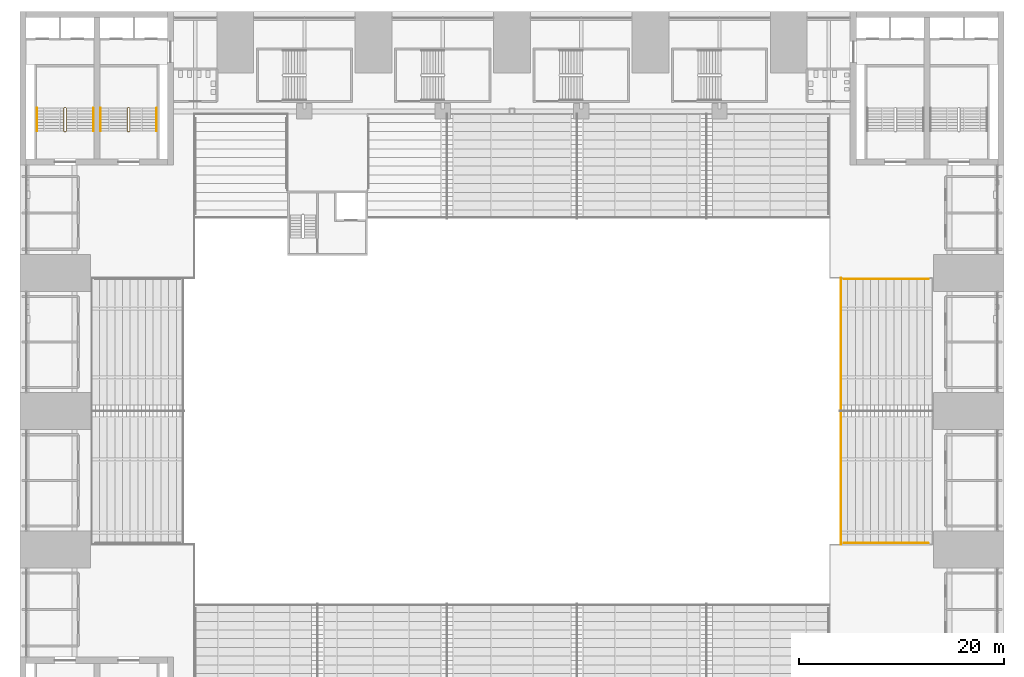
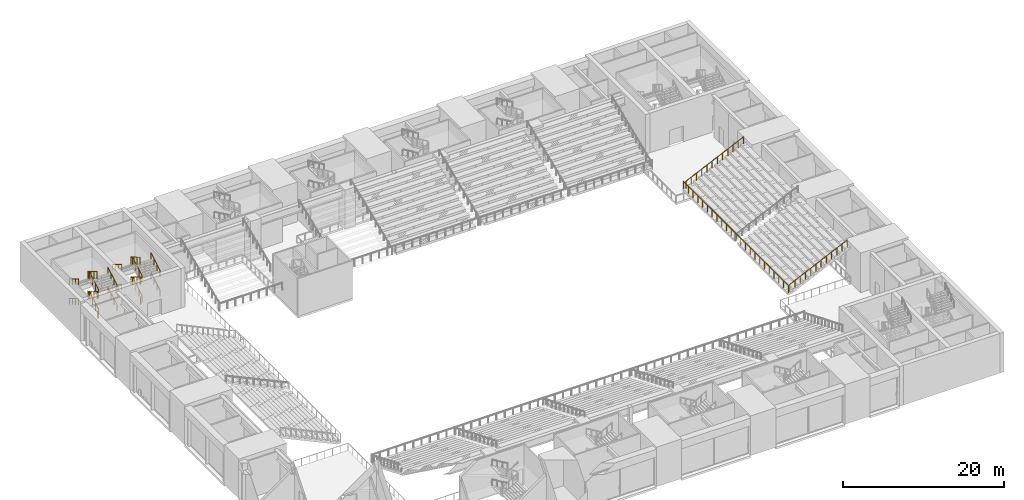
# One storey, part 58 of 61: 5 railings.
"""IFC4 building model written with IfcOpenShell, lengths in metres."""

from ifc_helpers import new_model, si_unit, direction, frame, origin, origin_2d, place, context, subcontext, project, spatial, circle, extrude, material, type_object, element, save


model = new_model("IFC4")

# Units and contexts
model_context = context("Model", 3, precision=1e-05, world=origin(), true_north=direction((0.0, 1.0)))
body_context = subcontext(model_context, "Body", "Model", "MODEL_VIEW")
ifc_project = project(units=[si_unit("LENGTHUNIT", "METRE"), si_unit("AREAUNIT", "SQUARE_METRE"), si_unit("VOLUMEUNIT", "CUBIC_METRE"), si_unit("PLANEANGLEUNIT", "RADIAN"), si_unit("MASSUNIT", "GRAM", prefix="KILO")], contexts=[model_context])

# Site, building, storey
site_placement = place(None, origin())
site = spatial("IfcSite", under=ifc_project, at=site_placement, CompositionType="ELEMENT")
building_placement = place(site_placement, origin())
building = spatial("IfcBuilding", under=site, at=building_placement, Name="Corbelhall Arena Tower", CompositionType="ELEMENT")
storey_placement = place(building_placement, frame((0.0, 0.0, 31.0)))
storey = spatial("IfcBuildingStorey", under=building, at=storey_placement, Name="L04", CompositionType="ELEMENT", Elevation=31.0)

# Railings
ifc_material_1 = material(Name="Stainless steel A4 and laminated glass", Category="steel")
railing_type_1 = type_object("IfcRailingType", Name="AR-GUARD-GLASS", PredefinedType="GUARDRAIL", material=ifc_material_1)
railing_1_placement = place(storey_placement, frame((32.10009765625, -13.0, 1.800048828125)))
element("IfcRailing", 1, at=railing_1_placement, inside=storey, type_object=railing_type_1, Name="Tier guards UE", PredefinedType="GUARDRAIL", context=body_context, shape_type="SweptSolid", body=[
    extrude(circle(Radius=0.02392578125, at=origin_2d()), frame((0.0, 0.0, 1.076171875), z_axis=(0.0, 1.0, 0.0), x_axis=(-1.0, 0.0, 0.0)), (0.0, 0.0, 1.0), 26.0),
    extrude(circle(Radius=0.02392578125, at=origin_2d()), frame((0.27490234375, 0.1201171875, 1.076171875), z_axis=(0.906250957626, 0.0, 0.422740111419), x_axis=(0.0, 1.0, 0.0)), (0.0, 0.0, 1.0), 0.82763671875),
    extrude(circle(Radius=0.02392578125, at=origin_2d()), frame((1.02490234375, 0.1201171875, 1.42578125), z_axis=(0.906137920931, 0.0, 0.42298234981), x_axis=(0.0, 1.0, 0.0)), (0.0, 0.0, 1.0), 0.82763671875),
    extrude(circle(Radius=0.02392578125, at=origin_2d()), frame((1.77490234375, 0.1201171875, 1.77587890625), z_axis=(0.906137920931, 0.0, 0.42298234981), x_axis=(0.0, 1.0, 0.0)), (0.0, 0.0, 1.0), 0.82763671875),
    extrude(circle(Radius=0.02392578125, at=origin_2d()), frame((2.52490234375, 0.1201171875, 2.1259765625), z_axis=(0.906250957626, 0.0, 0.422740111419), x_axis=(0.0, 1.0, 0.0)), (0.0, 0.0, 1.0), 0.82763671875),
    extrude(circle(Radius=0.02392578125, at=origin_2d()), frame((3.27490234375, 0.1201171875, 2.47607421875), z_axis=(0.906137920931, 0.0, 0.42298234981), x_axis=(0.0, 1.0, 0.0)), (0.0, 0.0, 1.0), 0.82763671875),
    extrude(circle(Radius=0.02392578125, at=origin_2d()), frame((4.02490234375, 0.1201171875, 2.826171875), z_axis=(0.906250957626, 0.0, 0.422740111419), x_axis=(0.0, 1.0, 0.0)), (0.0, 0.0, 1.0), 0.82763671875),
    extrude(circle(Radius=0.02392578125, at=origin_2d()), frame((4.77490234375, 0.1201171875, 3.17578125), z_axis=(0.906137920931, 0.0, 0.42298234981), x_axis=(0.0, 1.0, 0.0)), (0.0, 0.0, 1.0), 0.82763671875),
    extrude(circle(Radius=0.02392578125, at=origin_2d()), frame((5.52490234375, 0.1201171875, 3.52587890625), z_axis=(0.906137920931, 0.0, 0.42298234981), x_axis=(0.0, 1.0, 0.0)), (0.0, 0.0, 1.0), 0.82763671875),
    extrude(circle(Radius=0.02392578125, at=origin_2d()), frame((6.27490234375, 0.1201171875, 3.8759765625), z_axis=(0.906250957626, 0.0, 0.422740111419), x_axis=(0.0, 1.0, 0.0)), (0.0, 0.0, 1.0), 0.82763671875),
    extrude(circle(Radius=0.02392578125, at=origin_2d()), frame((7.02490234375, 0.1201171875, 4.22607421875), z_axis=(0.906137920931, 0.0, 0.42298234981), x_axis=(0.0, 1.0, 0.0)), (0.0, 0.0, 1.0), 0.82763671875),
    extrude(circle(Radius=0.02392578125, at=origin_2d()), frame((7.77490234375, 0.1201171875, 4.576171875), z_axis=(0.906250957626, 0.0, 0.422740111419), x_axis=(0.0, 1.0, 0.0)), (0.0, 0.0, 1.0), 0.82763671875),
    extrude(circle(Radius=0.02392578125, at=origin_2d()), frame((0.27490234375, 25.8798828125, 1.076171875), z_axis=(0.906250957626, 0.0, 0.422740111419), x_axis=(0.0, 1.0, 0.0)), (0.0, 0.0, 1.0), 0.82763671875),
    extrude(circle(Radius=0.02392578125, at=origin_2d()), frame((1.02490234375, 25.8798828125, 1.42578125), z_axis=(0.906137920931, 0.0, 0.42298234981), x_axis=(0.0, 1.0, 0.0)), (0.0, 0.0, 1.0), 0.82763671875),
    extrude(circle(Radius=0.02392578125, at=origin_2d()), frame((1.77490234375, 25.8798828125, 1.77587890625), z_axis=(0.906137920931, 0.0, 0.42298234981), x_axis=(0.0, 1.0, 0.0)), (0.0, 0.0, 1.0), 0.82763671875),
    extrude(circle(Radius=0.02392578125, at=origin_2d()), frame((2.52490234375, 25.8798828125, 2.1259765625), z_axis=(0.906250957626, 0.0, 0.422740111419), x_axis=(0.0, 1.0, 0.0)), (0.0, 0.0, 1.0), 0.82763671875),
    extrude(circle(Radius=0.02392578125, at=origin_2d()), frame((3.27490234375, 25.8798828125, 2.47607421875), z_axis=(0.906137920931, 0.0, 0.42298234981), x_axis=(0.0, 1.0, 0.0)), (0.0, 0.0, 1.0), 0.82763671875),
    extrude(circle(Radius=0.02392578125, at=origin_2d()), frame((4.02490234375, 25.8798828125, 2.826171875), z_axis=(0.906250957626, 0.0, 0.422740111419), x_axis=(0.0, 1.0, 0.0)), (0.0, 0.0, 1.0), 0.82763671875),
    extrude(circle(Radius=0.02392578125, at=origin_2d()), frame((4.77490234375, 25.8798828125, 3.17578125), z_axis=(0.906137920931, 0.0, 0.42298234981), x_axis=(0.0, 1.0, 0.0)), (0.0, 0.0, 1.0), 0.82763671875),
    extrude(circle(Radius=0.02392578125, at=origin_2d()), frame((5.52490234375, 25.8798828125, 3.52587890625), z_axis=(0.906137920931, 0.0, 0.42298234981), x_axis=(0.0, 1.0, 0.0)), (0.0, 0.0, 1.0), 0.82763671875),
    extrude(circle(Radius=0.02392578125, at=origin_2d()), frame((6.27490234375, 25.8798828125, 3.8759765625), z_axis=(0.906250957626, 0.0, 0.422740111419), x_axis=(0.0, 1.0, 0.0)), (0.0, 0.0, 1.0), 0.82763671875),
    extrude(circle(Radius=0.02392578125, at=origin_2d()), frame((7.02490234375, 25.8798828125, 4.22607421875), z_axis=(0.906137920931, 0.0, 0.42298234981), x_axis=(0.0, 1.0, 0.0)), (0.0, 0.0, 1.0), 0.82763671875),
    extrude(circle(Radius=0.02392578125, at=origin_2d()), frame((7.77490234375, 25.8798828125, 4.576171875), z_axis=(0.906250957626, 0.0, 0.422740111419), x_axis=(0.0, 1.0, 0.0)), (0.0, 0.0, 1.0), 0.82763671875),
    extrude(circle(Radius=0.02099609375, at=origin_2d()), origin(), (0.0, 0.0, 1.0), 1.052001953125),
    extrude(circle(Radius=0.02099609375, at=origin_2d()), frame((0.0, 1.181884765625, 0.0)), (0.0, 0.0, 1.0), 1.052001953125),
    extrude(circle(Radius=0.02099609375, at=origin_2d()), frame((0.0, 2.363525390625, 0.0)), (0.0, 0.0, 1.0), 1.052001953125),
    extrude(circle(Radius=0.02099609375, at=origin_2d()), frame((0.0, 3.54541015625, 0.0)), (0.0, 0.0, 1.0), 1.052001953125),
    extrude(circle(Radius=0.02099609375, at=origin_2d()), frame((0.0, 4.727294921875, 0.0)), (0.0, 0.0, 1.0), 1.052001953125),
    extrude(circle(Radius=0.02099609375, at=origin_2d()), frame((0.0, 5.9091796875, 0.0)), (0.0, 0.0, 1.0), 1.052001953125),
    extrude(circle(Radius=0.02099609375, at=origin_2d()), frame((0.0, 7.0908203125, 0.0)), (0.0, 0.0, 1.0), 1.052001953125),
    extrude(circle(Radius=0.02099609375, at=origin_2d()), frame((0.0, 8.272705078125, 0.0)), (0.0, 0.0, 1.0), 1.052001953125),
    extrude(circle(Radius=0.02099609375, at=origin_2d()), frame((0.0, 9.45458984375, 0.0)), (0.0, 0.0, 1.0), 1.052001953125),
    extrude(circle(Radius=0.02099609375, at=origin_2d()), frame((0.0, 10.636474609375, 0.0)), (0.0, 0.0, 1.0), 1.052001953125),
    extrude(circle(Radius=0.02099609375, at=origin_2d()), frame((0.0, 11.818115234375, 0.0)), (0.0, 0.0, 1.0), 1.052001953125),
    extrude(circle(Radius=0.02099609375, at=origin_2d()), frame((0.0, 13.0, 0.0)), (0.0, 0.0, 1.0), 1.052001953125),
    extrude(circle(Radius=0.02099609375, at=origin_2d()), frame((0.0, 14.181884765625, 0.0)), (0.0, 0.0, 1.0), 1.052001953125),
    extrude(circle(Radius=0.02099609375, at=origin_2d()), frame((0.0, 15.363525390625, 0.0)), (0.0, 0.0, 1.0), 1.052001953125),
    extrude(circle(Radius=0.02099609375, at=origin_2d()), frame((0.0, 16.54541015625, 0.0)), (0.0, 0.0, 1.0), 1.052001953125),
    extrude(circle(Radius=0.02099609375, at=origin_2d()), frame((0.0, 17.727294921875, 0.0)), (0.0, 0.0, 1.0), 1.052001953125),
    extrude(circle(Radius=0.02099609375, at=origin_2d()), frame((0.0, 18.9091796875, 0.0)), (0.0, 0.0, 1.0), 1.052001953125),
    extrude(circle(Radius=0.02099609375, at=origin_2d()), frame((0.0, 20.0908203125, 0.0)), (0.0, 0.0, 1.0), 1.052001953125),
    extrude(circle(Radius=0.02099609375, at=origin_2d()), frame((0.0, 21.272705078125, 0.0)), (0.0, 0.0, 1.0), 1.052001953125),
    extrude(circle(Radius=0.02099609375, at=origin_2d()), frame((0.0, 22.45458984375, 0.0)), (0.0, 0.0, 1.0), 1.052001953125),
    extrude(circle(Radius=0.02099609375, at=origin_2d()), frame((0.0, 23.636474609375, 0.0)), (0.0, 0.0, 1.0), 1.052001953125),
    extrude(circle(Radius=0.02099609375, at=origin_2d()), frame((0.0, 24.818115234375, 0.0)), (0.0, 0.0, 1.0), 1.052001953125),
    extrude(circle(Radius=0.02099609375, at=origin_2d()), frame((0.0, 26.0, 0.0)), (0.0, 0.0, 1.0), 1.052001953125),
    extrude(circle(Radius=0.02099609375, at=origin_2d()), frame((0.27490234375, 0.1201171875, 0.0)), (0.0, 0.0, 1.0), 1.052001953125),
    extrude(circle(Radius=0.02099609375, at=origin_2d()), frame((1.02490234375, 0.1201171875, 0.349853515625)), (0.0, 0.0, 1.0), 1.052001953125),
    extrude(circle(Radius=0.02099609375, at=origin_2d()), frame((1.77490234375, 0.1201171875, 0.699951171875)), (0.0, 0.0, 1.0), 1.052001953125),
    extrude(circle(Radius=0.02099609375, at=origin_2d()), frame((2.52490234375, 0.1201171875, 1.050048828125)), (0.0, 0.0, 1.0), 1.052001953125),
    extrude(circle(Radius=0.02099609375, at=origin_2d()), frame((3.27490234375, 0.1201171875, 1.39990234375)), (0.0, 0.0, 1.0), 1.052001953125),
    extrude(circle(Radius=0.02099609375, at=origin_2d()), frame((4.02490234375, 0.1201171875, 1.75)), (0.0, 0.0, 1.0), 1.052001953125),
    extrude(circle(Radius=0.02099609375, at=origin_2d()), frame((4.77490234375, 0.1201171875, 2.099853515625)), (0.0, 0.0, 1.0), 1.052001953125),
    extrude(circle(Radius=0.02099609375, at=origin_2d()), frame((5.52490234375, 0.1201171875, 2.449951171875)), (0.0, 0.0, 1.0), 1.052001953125),
    extrude(circle(Radius=0.02099609375, at=origin_2d()), frame((6.27490234375, 0.1201171875, 2.800048828125)), (0.0, 0.0, 1.0), 1.052001953125),
    extrude(circle(Radius=0.02099609375, at=origin_2d()), frame((7.02490234375, 0.1201171875, 3.14990234375)), (0.0, 0.0, 1.0), 1.052001953125),
    extrude(circle(Radius=0.02099609375, at=origin_2d()), frame((7.77490234375, 0.1201171875, 3.5)), (0.0, 0.0, 1.0), 1.052001953125),
    extrude(circle(Radius=0.02099609375, at=origin_2d()), frame((8.52490234375, 0.1201171875, 3.849853515625)), (0.0, 0.0, 1.0), 1.052001953125),
    extrude(circle(Radius=0.02099609375, at=origin_2d()), frame((0.27490234375, 25.8798828125, 0.0)), (0.0, 0.0, 1.0), 1.052001953125),
    extrude(circle(Radius=0.02099609375, at=origin_2d()), frame((1.02490234375, 25.8798828125, 0.349853515625)), (0.0, 0.0, 1.0), 1.052001953125),
    extrude(circle(Radius=0.02099609375, at=origin_2d()), frame((1.77490234375, 25.8798828125, 0.699951171875)), (0.0, 0.0, 1.0), 1.052001953125),
    extrude(circle(Radius=0.02099609375, at=origin_2d()), frame((2.52490234375, 25.8798828125, 1.050048828125)), (0.0, 0.0, 1.0), 1.052001953125),
    extrude(circle(Radius=0.02099609375, at=origin_2d()), frame((3.27490234375, 25.8798828125, 1.39990234375)), (0.0, 0.0, 1.0), 1.052001953125),
    extrude(circle(Radius=0.02099609375, at=origin_2d()), frame((4.02490234375, 25.8798828125, 1.75)), (0.0, 0.0, 1.0), 1.052001953125),
    extrude(circle(Radius=0.02099609375, at=origin_2d()), frame((4.77490234375, 25.8798828125, 2.099853515625)), (0.0, 0.0, 1.0), 1.052001953125),
    extrude(circle(Radius=0.02099609375, at=origin_2d()), frame((5.52490234375, 25.8798828125, 2.449951171875)), (0.0, 0.0, 1.0), 1.052001953125),
    extrude(circle(Radius=0.02099609375, at=origin_2d()), frame((6.27490234375, 25.8798828125, 2.800048828125)), (0.0, 0.0, 1.0), 1.052001953125),
    extrude(circle(Radius=0.02099609375, at=origin_2d()), frame((7.02490234375, 25.8798828125, 3.14990234375)), (0.0, 0.0, 1.0), 1.052001953125),
    extrude(circle(Radius=0.02099609375, at=origin_2d()), frame((7.77490234375, 25.8798828125, 3.5)), (0.0, 0.0, 1.0), 1.052001953125),
    extrude(circle(Radius=0.02099609375, at=origin_2d()), frame((8.52490234375, 25.8798828125, 3.849853515625)), (0.0, 0.0, 1.0), 1.052001953125),
])
ifc_material_2 = material(Name="Stainless steel A4", Category="steel")
railing_type_2 = type_object("IfcRailingType", Name="AR-STAIR-GUARD", PredefinedType="GUARDRAIL", material=ifc_material_2)
railing_2_placement = place(storey_placement, frame((-37.280029296875, 27.320068359375, 0.166748046875)))
element("IfcRailing", 2, at=railing_2_placement, inside=storey, type_object=railing_type_2, Name="L04 AS3 stair guards", PredefinedType="GUARDRAIL", context=body_context, shape_type="SweptSolid", body=[
    extrude(circle(Radius=0.02392578125, at=origin_2d()), frame((0.0, 0.0, 1.076171875), z_axis=(0.0, 0.859305625298, 0.511462454469), x_axis=(-1.0, 0.0, 0.0)), (0.0, 0.0, 1.0), 2.606689453125),
    extrude(circle(Radius=0.02392578125, at=origin_2d()), frame((-0.050048828125, 2.2900390625, 2.4091796875), z_axis=(-1.0, 0.0, 0.0), x_axis=(0.0, -1.0, 0.0)), (0.0, 0.0, 1.0), 0.14990234375),
    extrude(circle(Radius=0.02392578125, at=origin_2d()), frame((-0.25, 2.239990234375, 2.576171875), z_axis=(0.0, -0.859305625298, 0.511462454469), x_axis=(1.0, 0.0, 0.0)), (0.0, 0.0, 1.0), 2.606689453125),
    extrude(circle(Radius=0.02392578125, at=origin_2d()), frame((-0.050048828125, -0.050048828125, 3.9091796875), z_axis=(-1.0, 0.0, 0.0), x_axis=(0.0, -1.0, 0.0)), (0.0, 0.0, 1.0), 0.14990234375),
    extrude(circle(Radius=0.02392578125, at=origin_2d()), frame((0.0, 0.0, 4.076171875), z_axis=(0.0, 0.859305625298, 0.511462454469), x_axis=(-1.0, 0.0, 0.0)), (0.0, 0.0, 1.0), 2.606689453125),
    extrude(circle(Radius=0.02392578125, at=origin_2d()), frame((-0.050048828125, 2.2900390625, 5.4091796875), z_axis=(-1.0, 0.0, 0.0), x_axis=(0.0, -1.0, 0.0)), (0.0, 0.0, 1.0), 0.14990234375),
    extrude(circle(Radius=0.02392578125, at=origin_2d()), frame((-0.25, 2.239990234375, 5.576171875), z_axis=(0.0, -0.859305625298, 0.511462454469), x_axis=(1.0, 0.0, 0.0)), (0.0, 0.0, 1.0), 2.606689453125),
    extrude(circle(Radius=0.02392578125, at=origin_2d()), frame((-0.050048828125, -0.050048828125, 0.9091796875), z_axis=(-1.0, 0.0, 0.0), x_axis=(0.0, -1.0, 0.0)), (0.0, 0.0, 1.0), 0.14990234375),
    extrude(circle(Radius=0.02099609375, at=origin_2d()), origin(), (0.0, 0.0, 1.0), 1.052001953125),
    extrude(circle(Radius=0.02099609375, at=origin_2d()), frame((0.0, 0.74658203125, 0.4443359375)), (0.0, 0.0, 1.0), 1.052001953125),
    extrude(circle(Radius=0.02099609375, at=origin_2d()), frame((0.0, 1.493408203125, 0.888916015625)), (0.0, 0.0, 1.0), 1.052001953125),
    extrude(circle(Radius=0.02099609375, at=origin_2d()), frame((0.0, 2.239990234375, 1.333251953125)), (0.0, 0.0, 1.0), 1.052001953125),
    extrude(circle(Radius=0.02099609375, at=origin_2d()), frame((-0.050048828125, 2.2900390625, 1.333251953125)), (0.0, 0.0, 1.0), 1.052001953125),
    extrude(circle(Radius=0.02099609375, at=origin_2d()), frame((-0.199951171875, 2.2900390625, 1.333251953125)), (0.0, 0.0, 1.0), 1.052001953125),
    extrude(circle(Radius=0.02099609375, at=origin_2d()), frame((-0.25, 2.239990234375, 1.5)), (0.0, 0.0, 1.0), 1.052001953125),
    extrude(circle(Radius=0.02099609375, at=origin_2d()), frame((-0.25, 1.493408203125, 1.9443359375)), (0.0, 0.0, 1.0), 1.052001953125),
    extrude(circle(Radius=0.02099609375, at=origin_2d()), frame((-0.25, 0.74658203125, 2.388916015625)), (0.0, 0.0, 1.0), 1.052001953125),
    extrude(circle(Radius=0.02099609375, at=origin_2d()), frame((-0.25, 0.0, 2.833251953125)), (0.0, 0.0, 1.0), 1.052001953125),
    extrude(circle(Radius=0.02099609375, at=origin_2d()), frame((-0.050048828125, -0.050048828125, 2.833251953125)), (0.0, 0.0, 1.0), 1.052001953125),
    extrude(circle(Radius=0.02099609375, at=origin_2d()), frame((-0.199951171875, -0.050048828125, 2.833251953125)), (0.0, 0.0, 1.0), 1.052001953125),
    extrude(circle(Radius=0.02099609375, at=origin_2d()), frame((0.0, 0.0, 3.0)), (0.0, 0.0, 1.0), 1.052001953125),
    extrude(circle(Radius=0.02099609375, at=origin_2d()), frame((0.0, 0.74658203125, 3.4443359375)), (0.0, 0.0, 1.0), 1.052001953125),
    extrude(circle(Radius=0.02099609375, at=origin_2d()), frame((0.0, 1.493408203125, 3.888916015625)), (0.0, 0.0, 1.0), 1.052001953125),
    extrude(circle(Radius=0.02099609375, at=origin_2d()), frame((0.0, 2.239990234375, 4.333251953125)), (0.0, 0.0, 1.0), 1.052001953125),
    extrude(circle(Radius=0.02099609375, at=origin_2d()), frame((-0.050048828125, 2.2900390625, 4.333251953125)), (0.0, 0.0, 1.0), 1.052001953125),
    extrude(circle(Radius=0.02099609375, at=origin_2d()), frame((-0.199951171875, 2.2900390625, 4.333251953125)), (0.0, 0.0, 1.0), 1.052001953125),
    extrude(circle(Radius=0.02099609375, at=origin_2d()), frame((-0.25, 2.239990234375, 4.5)), (0.0, 0.0, 1.0), 1.052001953125),
    extrude(circle(Radius=0.02099609375, at=origin_2d()), frame((-0.25, 1.493408203125, 4.9443359375)), (0.0, 0.0, 1.0), 1.052001953125),
    extrude(circle(Radius=0.02099609375, at=origin_2d()), frame((-0.25, 0.74658203125, 5.388916015625)), (0.0, 0.0, 1.0), 1.052001953125),
    extrude(circle(Radius=0.02099609375, at=origin_2d()), frame((-0.25, 0.0, 5.833251953125)), (0.0, 0.0, 1.0), 1.052001953125),
    extrude(circle(Radius=0.02099609375, at=origin_2d()), frame((-0.050048828125, -0.050048828125, -0.166748046875)), (0.0, 0.0, 1.0), 1.052001953125),
    extrude(circle(Radius=0.02099609375, at=origin_2d()), frame((-0.199951171875, -0.050048828125, -0.166748046875)), (0.0, 0.0, 1.0), 1.052001953125),
])
railing_3_placement = place(storey_placement, frame((-43.469970703125, 27.320068359375, 0.166748046875)))
element("IfcRailing", 3, at=railing_3_placement, inside=storey, type_object=railing_type_2, Name="L04 AS4 stair guards", PredefinedType="GUARDRAIL", context=body_context, shape_type="SweptSolid", body=[
    extrude(circle(Radius=0.02392578125, at=origin_2d()), frame((0.0, 0.0, 1.076171875), z_axis=(0.0, 0.859305625298, 0.511462454469), x_axis=(-1.0, 0.0, 0.0)), (0.0, 0.0, 1.0), 2.606689453125),
    extrude(circle(Radius=0.02392578125, at=origin_2d()), frame((-0.050048828125, 2.2900390625, 2.4091796875), z_axis=(-1.0, 0.0, 0.0), x_axis=(0.0, -1.0, 0.0)), (0.0, 0.0, 1.0), 0.14990234375),
    extrude(circle(Radius=0.02392578125, at=origin_2d()), frame((-0.25, 2.239990234375, 2.576171875), z_axis=(0.0, -0.859305625298, 0.511462454469), x_axis=(1.0, 0.0, 0.0)), (0.0, 0.0, 1.0), 2.606689453125),
    extrude(circle(Radius=0.02392578125, at=origin_2d()), frame((-0.050048828125, -0.050048828125, 3.9091796875), z_axis=(-1.0, 0.0, 0.0), x_axis=(0.0, -1.0, 0.0)), (0.0, 0.0, 1.0), 0.14990234375),
    extrude(circle(Radius=0.02392578125, at=origin_2d()), frame((0.0, 0.0, 4.076171875), z_axis=(0.0, 0.859305625298, 0.511462454469), x_axis=(-1.0, 0.0, 0.0)), (0.0, 0.0, 1.0), 2.606689453125),
    extrude(circle(Radius=0.02392578125, at=origin_2d()), frame((-0.050048828125, 2.2900390625, 5.4091796875), z_axis=(-1.0, 0.0, 0.0), x_axis=(0.0, -1.0, 0.0)), (0.0, 0.0, 1.0), 0.14990234375),
    extrude(circle(Radius=0.02392578125, at=origin_2d()), frame((-0.25, 2.239990234375, 5.576171875), z_axis=(0.0, -0.859305625298, 0.511462454469), x_axis=(1.0, 0.0, 0.0)), (0.0, 0.0, 1.0), 2.606689453125),
    extrude(circle(Radius=0.02392578125, at=origin_2d()), frame((-0.050048828125, -0.050048828125, 0.9091796875), z_axis=(-1.0, 0.0, 0.0), x_axis=(0.0, -1.0, 0.0)), (0.0, 0.0, 1.0), 0.14990234375),
    extrude(circle(Radius=0.02099609375, at=origin_2d()), origin(), (0.0, 0.0, 1.0), 1.052001953125),
    extrude(circle(Radius=0.02099609375, at=origin_2d()), frame((0.0, 0.74658203125, 0.4443359375)), (0.0, 0.0, 1.0), 1.052001953125),
    extrude(circle(Radius=0.02099609375, at=origin_2d()), frame((0.0, 1.493408203125, 0.888916015625)), (0.0, 0.0, 1.0), 1.052001953125),
    extrude(circle(Radius=0.02099609375, at=origin_2d()), frame((0.0, 2.239990234375, 1.333251953125)), (0.0, 0.0, 1.0), 1.052001953125),
    extrude(circle(Radius=0.02099609375, at=origin_2d()), frame((-0.050048828125, 2.2900390625, 1.333251953125)), (0.0, 0.0, 1.0), 1.052001953125),
    extrude(circle(Radius=0.02099609375, at=origin_2d()), frame((-0.199951171875, 2.2900390625, 1.333251953125)), (0.0, 0.0, 1.0), 1.052001953125),
    extrude(circle(Radius=0.02099609375, at=origin_2d()), frame((-0.25, 2.239990234375, 1.5)), (0.0, 0.0, 1.0), 1.052001953125),
    extrude(circle(Radius=0.02099609375, at=origin_2d()), frame((-0.25, 1.493408203125, 1.9443359375)), (0.0, 0.0, 1.0), 1.052001953125),
    extrude(circle(Radius=0.02099609375, at=origin_2d()), frame((-0.25, 0.74658203125, 2.388916015625)), (0.0, 0.0, 1.0), 1.052001953125),
    extrude(circle(Radius=0.02099609375, at=origin_2d()), frame((-0.25, 0.0, 2.833251953125)), (0.0, 0.0, 1.0), 1.052001953125),
    extrude(circle(Radius=0.02099609375, at=origin_2d()), frame((-0.050048828125, -0.050048828125, 2.833251953125)), (0.0, 0.0, 1.0), 1.052001953125),
    extrude(circle(Radius=0.02099609375, at=origin_2d()), frame((-0.199951171875, -0.050048828125, 2.833251953125)), (0.0, 0.0, 1.0), 1.052001953125),
    extrude(circle(Radius=0.02099609375, at=origin_2d()), frame((0.0, 0.0, 3.0)), (0.0, 0.0, 1.0), 1.052001953125),
    extrude(circle(Radius=0.02099609375, at=origin_2d()), frame((0.0, 0.74658203125, 3.4443359375)), (0.0, 0.0, 1.0), 1.052001953125),
    extrude(circle(Radius=0.02099609375, at=origin_2d()), frame((0.0, 1.493408203125, 3.888916015625)), (0.0, 0.0, 1.0), 1.052001953125),
    extrude(circle(Radius=0.02099609375, at=origin_2d()), frame((0.0, 2.239990234375, 4.333251953125)), (0.0, 0.0, 1.0), 1.052001953125),
    extrude(circle(Radius=0.02099609375, at=origin_2d()), frame((-0.050048828125, 2.2900390625, 4.333251953125)), (0.0, 0.0, 1.0), 1.052001953125),
    extrude(circle(Radius=0.02099609375, at=origin_2d()), frame((-0.199951171875, 2.2900390625, 4.333251953125)), (0.0, 0.0, 1.0), 1.052001953125),
    extrude(circle(Radius=0.02099609375, at=origin_2d()), frame((-0.25, 2.239990234375, 4.5)), (0.0, 0.0, 1.0), 1.052001953125),
    extrude(circle(Radius=0.02099609375, at=origin_2d()), frame((-0.25, 1.493408203125, 4.9443359375)), (0.0, 0.0, 1.0), 1.052001953125),
    extrude(circle(Radius=0.02099609375, at=origin_2d()), frame((-0.25, 0.74658203125, 5.388916015625)), (0.0, 0.0, 1.0), 1.052001953125),
    extrude(circle(Radius=0.02099609375, at=origin_2d()), frame((-0.25, 0.0, 5.833251953125)), (0.0, 0.0, 1.0), 1.052001953125),
    extrude(circle(Radius=0.02099609375, at=origin_2d()), frame((-0.050048828125, -0.050048828125, -0.166748046875)), (0.0, 0.0, 1.0), 1.052001953125),
    extrude(circle(Radius=0.02099609375, at=origin_2d()), frame((-0.199951171875, -0.050048828125, -0.166748046875)), (0.0, 0.0, 1.0), 1.052001953125),
])
railing_type_3 = type_object("IfcRailingType", Name="AR-STAIR-HANDRAIL", PredefinedType="HANDRAIL", material=ifc_material_2)
railing_4_placement = place(storey_placement, frame((-34.659912109375, 27.320068359375, 0.166748046875)))
element("IfcRailing", 4, at=railing_4_placement, inside=storey, type_object=railing_type_3, Name="L04 AS3 stair handrails", PredefinedType="HANDRAIL", context=body_context, shape_type="SweptSolid", body=[
    extrude(circle(Radius=0.02392578125, at=origin_2d()), frame((0.0, 0.0, 0.8759765625), z_axis=(0.0, 0.859305625298, 0.511462454469), x_axis=(-1.0, 0.0, 0.0)), (0.0, 0.0, 1.0), 2.606689453125),
    extrude(circle(Radius=0.02392578125, at=origin_2d()), frame((-5.489990234375, 2.239990234375, 2.3759765625), z_axis=(0.0, -0.859305625298, 0.511462454469), x_axis=(1.0, 0.0, 0.0)), (0.0, 0.0, 1.0), 2.606689453125),
    extrude(circle(Radius=0.02392578125, at=origin_2d()), frame((0.0, 0.0, 3.8759765625), z_axis=(0.0, 0.859305625298, 0.511462454469), x_axis=(-1.0, 0.0, 0.0)), (0.0, 0.0, 1.0), 2.606689453125),
    extrude(circle(Radius=0.02392578125, at=origin_2d()), frame((-5.489990234375, 2.239990234375, 5.3759765625), z_axis=(0.0, -0.859305625298, 0.511462454469), x_axis=(1.0, 0.0, 0.0)), (0.0, 0.0, 1.0), 2.606689453125),
    extrude(circle(Radius=0.02099609375, at=origin_2d()), origin(), (0.0, 0.0, 1.0), 0.851806640625),
    extrude(circle(Radius=0.02099609375, at=origin_2d()), frame((0.0, 0.74658203125, 0.4443359375)), (0.0, 0.0, 1.0), 0.851806640625),
    extrude(circle(Radius=0.02099609375, at=origin_2d()), frame((0.0, 1.493408203125, 0.888916015625)), (0.0, 0.0, 1.0), 0.851806640625),
    extrude(circle(Radius=0.02099609375, at=origin_2d()), frame((0.0, 2.239990234375, 1.333251953125)), (0.0, 0.0, 1.0), 0.851806640625),
    extrude(circle(Radius=0.02099609375, at=origin_2d()), frame((-5.489990234375, 2.239990234375, 1.5)), (0.0, 0.0, 1.0), 0.851806640625),
    extrude(circle(Radius=0.02099609375, at=origin_2d()), frame((-5.489990234375, 1.493408203125, 1.9443359375)), (0.0, 0.0, 1.0), 0.851806640625),
    extrude(circle(Radius=0.02099609375, at=origin_2d()), frame((-5.489990234375, 0.74658203125, 2.388916015625)), (0.0, 0.0, 1.0), 0.851806640625),
    extrude(circle(Radius=0.02099609375, at=origin_2d()), frame((-5.489990234375, 0.0, 2.833251953125)), (0.0, 0.0, 1.0), 0.851806640625),
    extrude(circle(Radius=0.02099609375, at=origin_2d()), frame((0.0, 0.0, 3.0)), (0.0, 0.0, 1.0), 0.851806640625),
    extrude(circle(Radius=0.02099609375, at=origin_2d()), frame((0.0, 0.74658203125, 3.4443359375)), (0.0, 0.0, 1.0), 0.851806640625),
    extrude(circle(Radius=0.02099609375, at=origin_2d()), frame((0.0, 1.493408203125, 3.888916015625)), (0.0, 0.0, 1.0), 0.851806640625),
    extrude(circle(Radius=0.02099609375, at=origin_2d()), frame((0.0, 2.239990234375, 4.333251953125)), (0.0, 0.0, 1.0), 0.851806640625),
    extrude(circle(Radius=0.02099609375, at=origin_2d()), frame((-5.489990234375, 2.239990234375, 4.5)), (0.0, 0.0, 1.0), 0.851806640625),
    extrude(circle(Radius=0.02099609375, at=origin_2d()), frame((-5.489990234375, 1.493408203125, 4.9443359375)), (0.0, 0.0, 1.0), 0.851806640625),
    extrude(circle(Radius=0.02099609375, at=origin_2d()), frame((-5.489990234375, 0.74658203125, 5.388916015625)), (0.0, 0.0, 1.0), 0.851806640625),
    extrude(circle(Radius=0.02099609375, at=origin_2d()), frame((-5.489990234375, 0.0, 5.833251953125)), (0.0, 0.0, 1.0), 0.851806640625),
])
railing_5_placement = place(storey_placement, frame((-40.85009765625, 27.320068359375, 0.166748046875)))
element("IfcRailing", 5, at=railing_5_placement, inside=storey, type_object=railing_type_3, Name="L04 AS4 stair handrails", PredefinedType="HANDRAIL", context=body_context, shape_type="SweptSolid", body=[
    extrude(circle(Radius=0.02392578125, at=origin_2d()), frame((0.0, 0.0, 0.8759765625), z_axis=(0.0, 0.859305625298, 0.511462454469), x_axis=(-1.0, 0.0, 0.0)), (0.0, 0.0, 1.0), 2.606689453125),
    extrude(circle(Radius=0.02392578125, at=origin_2d()), frame((-5.489990234375, 2.239990234375, 2.3759765625), z_axis=(0.0, -0.859305625298, 0.511462454469), x_axis=(1.0, 0.0, 0.0)), (0.0, 0.0, 1.0), 2.606689453125),
    extrude(circle(Radius=0.02392578125, at=origin_2d()), frame((0.0, 0.0, 3.8759765625), z_axis=(0.0, 0.859305625298, 0.511462454469), x_axis=(-1.0, 0.0, 0.0)), (0.0, 0.0, 1.0), 2.606689453125),
    extrude(circle(Radius=0.02392578125, at=origin_2d()), frame((-5.489990234375, 2.239990234375, 5.3759765625), z_axis=(0.0, -0.859305625298, 0.511462454469), x_axis=(1.0, 0.0, 0.0)), (0.0, 0.0, 1.0), 2.606689453125),
    extrude(circle(Radius=0.02099609375, at=origin_2d()), origin(), (0.0, 0.0, 1.0), 0.851806640625),
    extrude(circle(Radius=0.02099609375, at=origin_2d()), frame((0.0, 0.74658203125, 0.4443359375)), (0.0, 0.0, 1.0), 0.851806640625),
    extrude(circle(Radius=0.02099609375, at=origin_2d()), frame((0.0, 1.493408203125, 0.888916015625)), (0.0, 0.0, 1.0), 0.851806640625),
    extrude(circle(Radius=0.02099609375, at=origin_2d()), frame((0.0, 2.239990234375, 1.333251953125)), (0.0, 0.0, 1.0), 0.851806640625),
    extrude(circle(Radius=0.02099609375, at=origin_2d()), frame((-5.489990234375, 2.239990234375, 1.5)), (0.0, 0.0, 1.0), 0.851806640625),
    extrude(circle(Radius=0.02099609375, at=origin_2d()), frame((-5.489990234375, 1.493408203125, 1.9443359375)), (0.0, 0.0, 1.0), 0.851806640625),
    extrude(circle(Radius=0.02099609375, at=origin_2d()), frame((-5.489990234375, 0.74658203125, 2.388916015625)), (0.0, 0.0, 1.0), 0.851806640625),
    extrude(circle(Radius=0.02099609375, at=origin_2d()), frame((-5.489990234375, 0.0, 2.833251953125)), (0.0, 0.0, 1.0), 0.851806640625),
    extrude(circle(Radius=0.02099609375, at=origin_2d()), frame((0.0, 0.0, 3.0)), (0.0, 0.0, 1.0), 0.851806640625),
    extrude(circle(Radius=0.02099609375, at=origin_2d()), frame((0.0, 0.74658203125, 3.4443359375)), (0.0, 0.0, 1.0), 0.851806640625),
    extrude(circle(Radius=0.02099609375, at=origin_2d()), frame((0.0, 1.493408203125, 3.888916015625)), (0.0, 0.0, 1.0), 0.851806640625),
    extrude(circle(Radius=0.02099609375, at=origin_2d()), frame((0.0, 2.239990234375, 4.333251953125)), (0.0, 0.0, 1.0), 0.851806640625),
    extrude(circle(Radius=0.02099609375, at=origin_2d()), frame((-5.489990234375, 2.239990234375, 4.5)), (0.0, 0.0, 1.0), 0.851806640625),
    extrude(circle(Radius=0.02099609375, at=origin_2d()), frame((-5.489990234375, 1.493408203125, 4.9443359375)), (0.0, 0.0, 1.0), 0.851806640625),
    extrude(circle(Radius=0.02099609375, at=origin_2d()), frame((-5.489990234375, 0.74658203125, 5.388916015625)), (0.0, 0.0, 1.0), 0.851806640625),
    extrude(circle(Radius=0.02099609375, at=origin_2d()), frame((-5.489990234375, 0.0, 5.833251953125)), (0.0, 0.0, 1.0), 0.851806640625),
])

save(model, "model.ifc")
